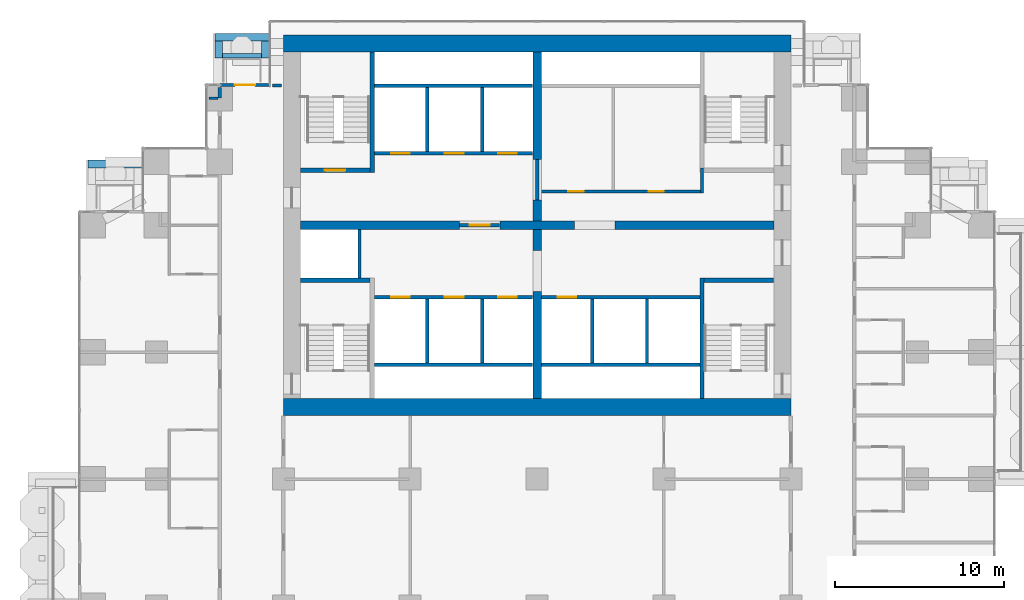
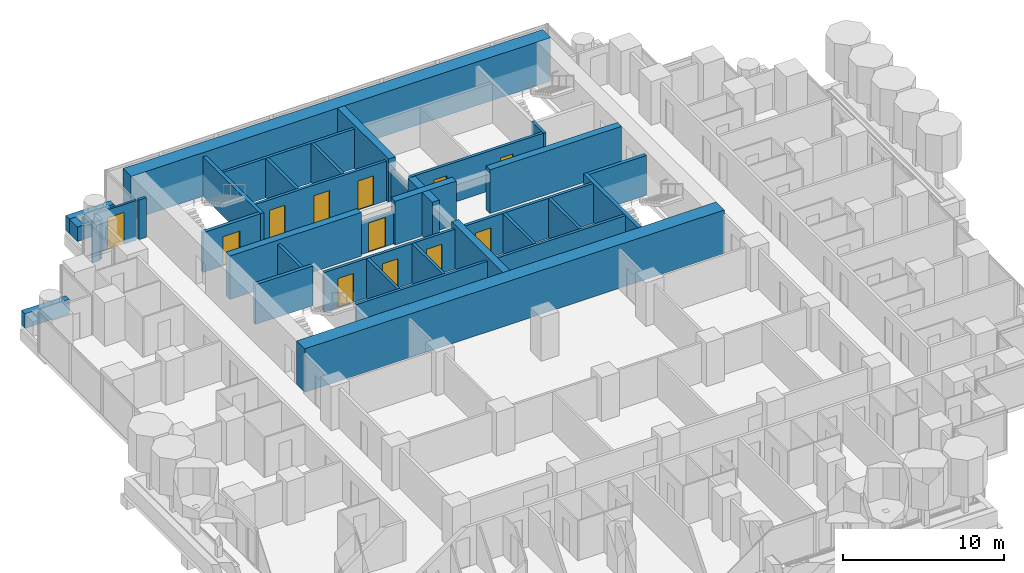
# One storey, part 15 of 20: 40 walls, 12 doors, 12 openings.
"""IFC4 building model written with IfcOpenShell, lengths in metres."""

from ifc_helpers import new_model, si_unit, direction, frame, frame_2d, origin, place, context, subcontext, project, spatial, rectangle, extrude, material, layer, layer_set, type_object, element, fill, save


model = new_model("IFC4")

# Units and contexts
model_context = context("Model", 3, precision=1e-05, world=origin(), true_north=direction((0.0, 1.0)))
body_context = subcontext(model_context, "Body", "Model", "MODEL_VIEW")
ifc_project = project(units=[si_unit("LENGTHUNIT", "METRE"), si_unit("AREAUNIT", "SQUARE_METRE"), si_unit("VOLUMEUNIT", "CUBIC_METRE"), si_unit("PLANEANGLEUNIT", "RADIAN"), si_unit("MASSUNIT", "GRAM", prefix="KILO")], contexts=[model_context])

# Site, building, storey
site_placement = place(None, origin())
site = spatial("IfcSite", under=ifc_project, at=site_placement, CompositionType="ELEMENT")
building_placement = place(site_placement, origin())
building = spatial("IfcBuilding", under=site, at=building_placement, Name="Pilkhan Gate Tower", CompositionType="ELEMENT")
storey_placement = place(building_placement, frame((0.0, 0.0, 92.300048828125)))
storey = spatial("IfcBuildingStorey", under=building, at=storey_placement, Name="L22", CompositionType="ELEMENT", Elevation=92.300048828125)

# Walls
ifc_material_1 = material(Name="Concrete C40/50", Category="concrete")
ifc_layer_1 = layer(ifc_material_1, 0.25)
ifc_layer_set_1 = layer_set([ifc_layer_1], Name="Balcony planter BP250")
wall_type_1 = type_object("IfcWallType", Name="Balcony planter BP250", PredefinedType="USERDEFINED", material=ifc_layer_set_1)
wall_1_placement = place(storey_placement, frame((56.39990234375, 92.52490234375, 0.0), z_axis=(0.0, 0.0, 1.0), x_axis=(1.0, 0.0, 0.0)))
element("IfcWall", 1, at=wall_1_placement, inside=storey, type_object=wall_type_1, Name="Balcony planter L22 N", ObjectType="BALCONY PLANTER", PredefinedType="USERDEFINED", context=body_context, shape_type="SweptSolid", body=[
    extrude(rectangle(XDim=2.300048828125, YDim=0.25, at=frame_2d((1.14990234375, 0.0))), origin(), (0.0, 0.0, 1.0), 1.0),
])
ifc_material_2 = material(Name="Board-marked Concrete C40/50", Category="concrete")
ifc_layer_2 = layer(ifc_material_2, 0.449951171875)
ifc_layer_set_2 = layer_set([ifc_layer_2], Name="Balcony planter lip BL450")
wall_type_2 = type_object("IfcWallType", Name="Balcony planter lip BL450", PredefinedType="USERDEFINED", material=ifc_layer_set_2)
wall_2_placement = place(storey_placement, frame((55.949951171875, 93.625, 0.0), z_axis=(0.0, 0.0, 1.0), x_axis=(1.0, 0.0, 0.0)))
element("IfcWall", 2, at=wall_2_placement, inside=storey, type_object=wall_type_2, Name="Balcony planter L22 N", ObjectType="BALCONY PLANTER", PredefinedType="USERDEFINED", context=body_context, shape_type="SweptSolid", body=[
    extrude(rectangle(XDim=3.199951171875, YDim=0.449951171875, at=frame_2d((1.60009765625, 0.0))), origin(), (0.0, 0.0, 1.0), 1.099853515625),
])
for number, where, z_axis, x_axis, name in (
    (3, (56.175048828125, 92.39990234375, 0.0), (0.0, 0.0, 1.0), (0.0, 1.0, 0.0), "Balcony planter L22 N"),
    (4, (58.925048828125, 92.39990234375, 0.0), (0.0, 0.0, 1.0), (0.0, 1.0, 0.0), "Balcony planter L22 N"),
):
    element("IfcWall", number, at=place(storey_placement, frame(where, z_axis=z_axis, x_axis=x_axis)), inside=storey, type_object=wall_type_2, Name=name, ObjectType="BALCONY PLANTER", PredefinedType="USERDEFINED", context=body_context, shape_type="SweptSolid", body=[
        extrude(rectangle(XDim=1.0, YDim=0.449951171875, at=frame_2d((0.5, 0.0))), origin(), (0.0, 0.0, 1.0), 1.099853515625),
    ])
wall_3_placement = place(storey_placement, frame((48.449951171875, 86.125, 0.0), z_axis=(0.0, 0.0, 1.0), x_axis=(1.0, 0.0, 0.0)))
element("IfcWall", 5, at=wall_3_placement, inside=storey, type_object=wall_type_2, Name="Balcony planter L22 N", ObjectType="BALCONY PLANTER", PredefinedType="USERDEFINED", context=body_context, shape_type="SweptSolid", body=[
    extrude(rectangle(XDim=3.179931640625, YDim=0.449951171875, at=frame_2d((1.58984375, 0.0))), origin(), (0.0, 0.0, 1.0), 1.099853515625),
])
ifc_material_3 = material(Name="Concrete C70/85", Category="concrete")
ifc_layer_3 = layer(ifc_material_3, 1.0)
ifc_layer_set_3 = layer_set([ifc_layer_3], Name="Core wall CW1000 C70/85")
wall_type_3 = type_object("IfcWallType", Name="Core wall CW1000 C70/85", PredefinedType="SHEAR", material=ifc_layer_set_3)
for number, where, z_axis, x_axis, name in (
    (6, (60.0, 71.75, 0.0), (0.0, 0.0, 1.0), (1.0, 0.0, 0.0), "Core wall S L22"),
    (7, (90.0, 93.25, 0.0), (0.0, 0.0, 1.0), (-1.0, 0.0, 0.0), "Core wall N L22"),
):
    element("IfcWall", number, at=place(storey_placement, frame(where, z_axis=z_axis, x_axis=x_axis)), inside=storey, type_object=wall_type_3, Name=name, PredefinedType="SHEAR", context=body_context, shape_type="SweptSolid", body=[
        extrude(rectangle(XDim=30.0, YDim=1.0, at=frame_2d((15.0, 0.0))), origin(), (0.0, 0.0, 1.0), 3.300048828125),
    ])
ifc_material_4 = material(Name="Dense blockwork", Category="masonry")
ifc_layer_4 = layer(ifc_material_4, 0.199951171875)
ifc_layer_set_4 = layer_set([ifc_layer_4], Name="Corridor wall FW200")
wall_type_4 = type_object("IfcWallType", Name="Corridor wall FW200", PredefinedType="PARTITIONING", material=ifc_layer_set_4)
wall_4_placement = place(storey_placement, frame((59.35498046875, 90.764892578125, 0.0), z_axis=(0.0, 0.0, 1.0), x_axis=(1.0, 0.0, 0.0)))
element("IfcWall", 8, at=wall_4_placement, inside=storey, type_object=wall_type_4, Name="Partition L22", PredefinedType="PARTITIONING", context=body_context, shape_type="SweptSolid", body=[
    extrude(rectangle(XDim=0.52490234375, YDim=0.199951171875, at=frame_2d((0.262451171875, 0.0))), origin(), (0.0, 0.0, 1.0), 3.0),
])
wall_5_placement = place(storey_placement, frame((56.25, 90.030029296875, 0.0), z_axis=(0.0, 0.0, 1.0), x_axis=(0.0, 1.0, 0.0)))
element("IfcWall", 9, at=wall_5_placement, inside=storey, type_object=wall_type_4, Name="Partition L22", PredefinedType="PARTITIONING", context=body_context, shape_type="SweptSolid", body=[
    extrude(rectangle(XDim=0.614990234375, YDim=0.199951171875, at=frame_2d((0.3076171875, 0.0))), origin(), (0.0, 0.0, 1.0), 3.0),
])

# Wall, opening, door
ifc_material_5 = material(Name="Pale anodised aluminium, clear laminated glazing", Category="aluminium")
ifc_layer_5 = layer(ifc_material_5, 0.14990234375)
ifc_layer_set_5 = layer_set([ifc_layer_5], Name="Facade infill wall IW150")
wall_type_5 = type_object("IfcWallType", Name="Facade infill wall IW150", PredefinedType="SOLIDWALL", material=ifc_layer_set_5)
wall_6_placement = place(storey_placement, frame((56.25, 90.794921875, 0.0), z_axis=(0.0, 0.0, 1.0), x_axis=(1.0, 0.0, 0.0)))
wall_6 = element("IfcWall", 10, at=wall_6_placement, inside=storey, type_object=wall_type_5, Name="Infill wall L22 N", PredefinedType="SOLIDWALL", context=body_context, shape_type="SweptSolid", body=[
    extrude(rectangle(XDim=2.955078125, YDim=0.14990234375, at=frame_2d((1.4775390625, 0.0))), origin(), (0.0, 0.0, 1.0), 3.0),
])
opening_1_placement = place(wall_6_placement, frame((0.87744140625, 0.0, 0.0)))
opening_1 = element("IfcOpeningElement", 11, at=opening_1_placement, cuts=wall_6, Name="Opening D1", PredefinedType="OPENING", context=body_context, shape_type="SweptSolid", body=[
    extrude(rectangle(XDim=1.199951171875, YDim=2.39990234375, at=frame_2d((0.60009765625, 1.199951171875))), frame((0.0, 0.0849609375, 0.0), z_axis=(0.0, -1.0, 0.0), x_axis=(1.0, 0.0, 0.0)), (0.0, 0.0, 1.0), 0.169921875),
])
ifc_material_6 = material(Name="Pale anodised aluminium, clear glazing", Category="aluminium")
door_type_1 = type_object("IfcDoorType", Name="Balcony door D1 1200x2400", OperationType="SINGLE_SWING_LEFT", PredefinedType="DOOR", material=ifc_material_6)
door_1_placement = place(opening_1_placement, origin())
door_1 = element("IfcDoor", 12, at=door_1_placement, inside=storey, type_object=door_type_1, Name="Balcony door L22", OperationType="SINGLE_SWING_LEFT", OverallHeight=2.39990234375, OverallWidth=1.199951171875, PredefinedType="DOOR", context=body_context, shape_type="SweptSolid", body=[
    extrude(rectangle(XDim=1.199951171875, YDim=2.39990234375, at=frame_2d((0.60009765625, 1.199951171875))), frame((0.0, 0.02490234375, 0.0), z_axis=(0.0, -1.0, 0.0), x_axis=(1.0, 0.0, 0.0)), (0.0, 0.0, 1.0), 0.050048828125),
])
fill(opening_1, door_1)

ifc_layer_6 = layer(ifc_material_4, 0.199951171875)
ifc_layer_set_6 = layer_set([ifc_layer_6], Name="Lobby wall LW200")
wall_type_6 = type_object("IfcWallType", Name="Lobby wall LW200", PredefinedType="PARTITIONING", material=ifc_layer_set_6)
wall_7_placement = place(storey_placement, frame((70.409912109375, 82.5, 0.0), z_axis=(0.0, 0.0, 1.0), x_axis=(1.0, 0.0, 0.0)))
wall_7 = element("IfcWall", 13, at=wall_7_placement, inside=storey, type_object=wall_type_6, Name="Partition L22", PredefinedType="PARTITIONING", context=body_context, shape_type="SweptSolid", body=[
    extrude(rectangle(XDim=2.380126953125, YDim=0.199951171875, at=frame_2d((1.18994140625, 0.0))), origin(), (0.0, 0.0, 1.0), 2.39990234375),
])
opening_2_placement = place(wall_7_placement, frame((0.60009765625, 0.0, 0.0)))
opening_2 = element("IfcOpeningElement", 14, at=opening_2_placement, cuts=wall_7, Name="Opening L22-01", PredefinedType="OPENING", context=body_context, shape_type="SweptSolid", body=[
    extrude(rectangle(XDim=1.199951171875, YDim=2.199951171875, at=frame_2d((0.60009765625, 1.10009765625))), frame((0.0, 0.10986328125, 0.0), z_axis=(0.0, -1.0, 0.0), x_axis=(1.0, 0.0, 0.0)), (0.0, 0.0, 1.0), 0.219970703125),
])
ifc_material_7 = material(Name="Steel door, 120 minute fire resisting, self-closing", Category="steel")
door_type_2 = type_object("IfcDoorType", Name="Firefighting lobby door D10 1200x2200", OperationType="SINGLE_SWING_LEFT", PredefinedType="DOOR", material=ifc_material_7)
door_2_placement = place(opening_2_placement, origin())
door_2 = element("IfcDoor", 15, at=door_2_placement, inside=storey, type_object=door_type_2, Name="Firefighting lobby door", OperationType="SINGLE_SWING_RIGHT", OverallHeight=2.199951171875, OverallWidth=1.199951171875, PredefinedType="DOOR", context=body_context, shape_type="SweptSolid", body=[
    extrude(rectangle(XDim=1.199951171875, YDim=2.199951171875, at=frame_2d((0.60009765625, 1.10009765625))), frame((0.0, 0.02490234375, 0.0), z_axis=(0.0, -1.0, 0.0), x_axis=(1.0, 0.0, 0.0)), (0.0, 0.0, 1.0), 0.050048828125),
])
fill(opening_2, door_2)

# Wall, openings, doors
wall_8_placement = place(storey_placement, frame((75.10009765625, 84.5, 0.0), z_axis=(0.0, 0.0, 1.0), x_axis=(1.0, 0.0, 0.0)))
wall_8 = element("IfcWall", 16, at=wall_8_placement, inside=storey, type_object=wall_type_6, Name="Partition L22", PredefinedType="PARTITIONING", context=body_context, shape_type="SweptSolid", body=[
    extrude(rectangle(XDim=9.5498046875, YDim=0.199951171875, at=frame_2d((4.77490234375, 0.0))), origin(), (0.0, 0.0, 1.0), 3.0),
])
opening_3_placement = place(wall_8_placement, frame((1.75, 0.0, 0.0)))
opening_3 = element("IfcOpeningElement", 17, at=opening_3_placement, cuts=wall_8, Name="Opening L22-55", PredefinedType="OPENING", context=body_context, shape_type="SweptSolid", body=[
    extrude(rectangle(XDim=0.89990234375, YDim=2.199951171875, at=frame_2d((0.449951171875, 1.10009765625))), frame((0.0, 0.10986328125, 0.0), z_axis=(0.0, -1.0, 0.0), x_axis=(1.0, 0.0, 0.0)), (0.0, 0.0, 1.0), 0.219970703125),
])
opening_4_placement = place(wall_8_placement, frame((6.5, 0.0, 0.0)))
opening_4 = element("IfcOpeningElement", 18, at=opening_4_placement, cuts=wall_8, Name="Opening L22-56", PredefinedType="OPENING", context=body_context, shape_type="SweptSolid", body=[
    extrude(rectangle(XDim=0.89990234375, YDim=2.199951171875, at=frame_2d((0.449951171875, 1.10009765625))), frame((0.0, 0.10986328125, 0.0), z_axis=(0.0, -1.0, 0.0), x_axis=(1.0, 0.0, 0.0)), (0.0, 0.0, 1.0), 0.219970703125),
])
ifc_material_8 = material(Name="Timber flush door, 60 minute fire resisting, self-closing", Category="wood")
door_type_3 = type_object("IfcDoorType", Name="Store door D05 900x2200", OperationType="SINGLE_SWING_LEFT", PredefinedType="DOOR", material=ifc_material_8)
door_3_placement = place(opening_3_placement, origin())
door_3 = element("IfcDoor", 19, at=door_3_placement, inside=storey, type_object=door_type_3, Name="Store door", OperationType="SINGLE_SWING_LEFT", OverallHeight=2.199951171875, OverallWidth=0.89990234375, PredefinedType="DOOR", context=body_context, shape_type="SweptSolid", body=[
    extrude(rectangle(XDim=0.89990234375, YDim=2.199951171875, at=frame_2d((0.449951171875, 1.10009765625))), frame((0.0, 0.02490234375, 0.0), z_axis=(0.0, -1.0, 0.0), x_axis=(1.0, 0.0, 0.0)), (0.0, 0.0, 1.0), 0.050048828125),
])
fill(opening_3, door_3)
door_4_placement = place(opening_4_placement, origin())
door_4 = element("IfcDoor", 20, at=door_4_placement, inside=storey, type_object=door_type_3, Name="Store door", OperationType="SINGLE_SWING_LEFT", OverallHeight=2.199951171875, OverallWidth=0.89990234375, PredefinedType="DOOR", context=body_context, shape_type="SweptSolid", body=[
    extrude(rectangle(XDim=0.89990234375, YDim=2.199951171875, at=frame_2d((0.449951171875, 1.10009765625))), frame((0.0, 0.02490234375, 0.0), z_axis=(0.0, -1.0, 0.0), x_axis=(1.0, 0.0, 0.0)), (0.0, 0.0, 1.0), 0.050048828125),
])
fill(opening_4, door_4)

# Walls
wall_9_placement = place(storey_placement, frame((75.0, 84.010009765625, 0.0), z_axis=(0.0, 0.0, 1.0), x_axis=(0.0, 1.0, 0.0)))
element("IfcWall", 21, at=wall_9_placement, inside=storey, type_object=wall_type_6, Name="Partition L22", PredefinedType="PARTITIONING", context=body_context, shape_type="SweptSolid", body=[
    extrude(rectangle(XDim=2.3798828125, YDim=0.199951171875, at=frame_2d((1.18994140625, 0.0))), origin(), (0.0, 0.0, 1.0), 2.39990234375),
])
wall_10_placement = place(storey_placement, frame((84.75, 84.39990234375, 0.0), z_axis=(0.0, 0.0, 1.0), x_axis=(0.0, 1.0, 0.0)))
element("IfcWall", 22, at=wall_10_placement, inside=storey, type_object=wall_type_6, Name="Partition L22", PredefinedType="PARTITIONING", context=body_context, shape_type="SweptSolid", body=[
    extrude(rectangle(XDim=1.47509765625, YDim=0.199951171875, at=frame_2d((0.737548828125, 0.0))), origin(), (0.0, 0.0, 1.0), 3.0),
])
ifc_material_9 = material(Name="Blockwork partition, plastered both sides", Category="masonry")
ifc_layer_7 = layer(ifc_material_9, 0.14990234375)
ifc_layer_set_7 = layer_set([ifc_layer_7], Name="Partition PW150")
wall_type_7 = type_object("IfcWallType", Name="Partition PW150", PredefinedType="PARTITIONING", material=ifc_layer_set_7)
wall_11_placement = place(storey_placement, frame((55.60498046875, 90.0, 0.0), z_axis=(0.0, 0.0, 1.0), x_axis=(1.0, 0.0, 0.0)))
element("IfcWall", 23, at=wall_11_placement, inside=storey, type_object=wall_type_7, Name="Partition L22", PredefinedType="PARTITIONING", context=body_context, shape_type="SweptSolid", body=[
    extrude(rectangle(XDim=0.544921875, YDim=0.14990234375, at=frame_2d((0.2724609375, 0.0))), origin(), (0.0, 0.0, 1.0), 3.0),
])
ifc_material_10 = material(Name="Reinforced blockwork shaft wall, 120 minute fire resisting", Category="masonry")
ifc_layer_8 = layer(ifc_material_10, 0.199951171875)
ifc_layer_set_8 = layer_set([ifc_layer_8], Name="Shaft wall SW200")
wall_type_8 = type_object("IfcWallType", Name="Shaft wall SW200", PredefinedType="PARTITIONING", material=ifc_layer_set_8)
for number, where, z_axis, x_axis, name in (
    (24, (65.375, 74.25, 0.0), (0.0, 0.0, 1.0), (1.0, 0.0, 0.0), "Partition L22"),
    (25, (75.260009765625, 74.25, 0.0), (0.0, 0.0, 1.0), (1.0, 0.0, 0.0), "Partition L22"),
):
    element("IfcWall", number, at=place(storey_placement, frame(where, z_axis=z_axis, x_axis=x_axis)), inside=storey, type_object=wall_type_8, Name=name, PredefinedType="PARTITIONING", context=body_context, shape_type="SweptSolid", body=[
        extrude(rectangle(XDim=9.364990234375, YDim=0.199951171875, at=frame_2d((4.6826171875, 0.0))), origin(), (0.0, 0.0, 1.0), 3.0),
    ])

# Wall, openings, doors
wall_12_placement = place(storey_placement, frame((65.375, 78.25, 0.0), z_axis=(0.0, 0.0, 1.0), x_axis=(1.0, 0.0, 0.0)))
wall_12 = element("IfcWall", 26, at=wall_12_placement, inside=storey, type_object=wall_type_8, Name="Partition L22", PredefinedType="PARTITIONING", context=body_context, shape_type="SweptSolid", body=[
    extrude(rectangle(XDim=9.364990234375, YDim=0.199951171875, at=frame_2d((4.6826171875, 0.0))), origin(), (0.0, 0.0, 1.0), 3.0),
])
opening_5_placement = place(wall_12_placement, frame((1.0, 0.0, 0.0)))
opening_5 = element("IfcOpeningElement", 27, at=opening_5_placement, cuts=wall_12, Name="Opening LD", PredefinedType="OPENING", context=body_context, shape_type="SweptSolid", body=[
    extrude(rectangle(XDim=1.10009765625, YDim=2.199951171875, at=frame_2d((0.550048828125, 1.10009765625))), frame((0.0, 0.10986328125, 0.0), z_axis=(0.0, -1.0, 0.0), x_axis=(1.0, 0.0, 0.0)), (0.0, 0.0, 1.0), 0.219970703125),
])
opening_6_placement = place(wall_12_placement, frame((4.175048828125, 0.0, 0.0)))
opening_6 = element("IfcOpeningElement", 28, at=opening_6_placement, cuts=wall_12, Name="Opening LD", PredefinedType="OPENING", context=body_context, shape_type="SweptSolid", body=[
    extrude(rectangle(XDim=1.10009765625, YDim=2.199951171875, at=frame_2d((0.550048828125, 1.10009765625))), frame((0.0, 0.10986328125, 0.0), z_axis=(0.0, -1.0, 0.0), x_axis=(1.0, 0.0, 0.0)), (0.0, 0.0, 1.0), 0.219970703125),
])
opening_7_placement = place(wall_12_placement, frame((7.324951171875, 0.0, 0.0)))
opening_7 = element("IfcOpeningElement", 29, at=opening_7_placement, cuts=wall_12, Name="Opening LD", PredefinedType="OPENING", context=body_context, shape_type="SweptSolid", body=[
    extrude(rectangle(XDim=1.10009765625, YDim=2.199951171875, at=frame_2d((0.550048828125, 1.10009765625))), frame((0.0, 0.10986328125, 0.0), z_axis=(0.0, -1.0, 0.0), x_axis=(1.0, 0.0, 0.0)), (0.0, 0.0, 1.0), 0.219970703125),
])
ifc_material_11 = material(Name="Stainless steel centre-opening landing door, 120 minute fire resisting", Category="steel")
door_type_4 = type_object("IfcDoorType", Name="Lift landing door LD 1100x2200", OperationType="DOUBLE_DOOR_SLIDING", PredefinedType="DOOR", material=ifc_material_11)
door_5_placement = place(opening_5_placement, origin())
door_5 = element("IfcDoor", 30, at=door_5_placement, inside=storey, type_object=door_type_4, Name="Landing door LR1", OperationType="DOUBLE_DOOR_SLIDING", OverallHeight=2.199951171875, OverallWidth=1.10009765625, PredefinedType="DOOR", context=body_context, shape_type="SweptSolid", body=[
    extrude(rectangle(XDim=1.10009765625, YDim=2.199951171875, at=frame_2d((0.550048828125, 1.10009765625))), frame((0.0, 0.02490234375, 0.0), z_axis=(0.0, -1.0, 0.0), x_axis=(1.0, 0.0, 0.0)), (0.0, 0.0, 1.0), 0.050048828125),
])
fill(opening_5, door_5)
door_6_placement = place(opening_6_placement, origin())
door_6 = element("IfcDoor", 31, at=door_6_placement, inside=storey, type_object=door_type_4, Name="Landing door LR2", OperationType="DOUBLE_DOOR_SLIDING", OverallHeight=2.199951171875, OverallWidth=1.10009765625, PredefinedType="DOOR", context=body_context, shape_type="SweptSolid", body=[
    extrude(rectangle(XDim=1.10009765625, YDim=2.199951171875, at=frame_2d((0.550048828125, 1.10009765625))), frame((0.0, 0.02490234375, 0.0), z_axis=(0.0, -1.0, 0.0), x_axis=(1.0, 0.0, 0.0)), (0.0, 0.0, 1.0), 0.050048828125),
])
fill(opening_6, door_6)
door_7_placement = place(opening_7_placement, origin())
door_7 = element("IfcDoor", 32, at=door_7_placement, inside=storey, type_object=door_type_4, Name="Landing door LR3", OperationType="DOUBLE_DOOR_SLIDING", OverallHeight=2.199951171875, OverallWidth=1.10009765625, PredefinedType="DOOR", context=body_context, shape_type="SweptSolid", body=[
    extrude(rectangle(XDim=1.10009765625, YDim=2.199951171875, at=frame_2d((0.550048828125, 1.10009765625))), frame((0.0, 0.02490234375, 0.0), z_axis=(0.0, -1.0, 0.0), x_axis=(1.0, 0.0, 0.0)), (0.0, 0.0, 1.0), 0.050048828125),
])
fill(opening_7, door_7)

# Wall, opening, door
wall_13_placement = place(storey_placement, frame((75.260009765625, 78.25, 0.0), z_axis=(0.0, 0.0, 1.0), x_axis=(1.0, 0.0, 0.0)))
wall_13 = element("IfcWall", 33, at=wall_13_placement, inside=storey, type_object=wall_type_8, Name="Partition L22", PredefinedType="PARTITIONING", context=body_context, shape_type="SweptSolid", body=[
    extrude(rectangle(XDim=9.364990234375, YDim=0.199951171875, at=frame_2d((4.6826171875, 0.0))), origin(), (0.0, 0.0, 1.0), 3.0),
])
opening_8_placement = place(wall_13_placement, frame((0.949951171875, 0.0, 0.0)))
opening_8 = element("IfcOpeningElement", 34, at=opening_8_placement, cuts=wall_13, Name="Opening LD", PredefinedType="OPENING", context=body_context, shape_type="SweptSolid", body=[
    extrude(rectangle(XDim=1.10009765625, YDim=2.199951171875, at=frame_2d((0.550048828125, 1.10009765625))), frame((0.0, 0.10986328125, 0.0), z_axis=(0.0, -1.0, 0.0), x_axis=(1.0, 0.0, 0.0)), (0.0, 0.0, 1.0), 0.219970703125),
])
door_8_placement = place(opening_8_placement, origin())
door_8 = element("IfcDoor", 35, at=door_8_placement, inside=storey, type_object=door_type_4, Name="Landing door LR4", OperationType="DOUBLE_DOOR_SLIDING", OverallHeight=2.199951171875, OverallWidth=1.10009765625, PredefinedType="DOOR", context=body_context, shape_type="SweptSolid", body=[
    extrude(rectangle(XDim=1.10009765625, YDim=2.199951171875, at=frame_2d((0.550048828125, 1.10009765625))), frame((0.0, 0.02490234375, 0.0), z_axis=(0.0, -1.0, 0.0), x_axis=(1.0, 0.0, 0.0)), (0.0, 0.0, 1.0), 0.050048828125),
])
fill(opening_8, door_8)

# Wall, openings, doors
wall_14_placement = place(storey_placement, frame((65.375, 86.75, 0.0), z_axis=(0.0, 0.0, 1.0), x_axis=(1.0, 0.0, 0.0)))
wall_14 = element("IfcWall", 36, at=wall_14_placement, inside=storey, type_object=wall_type_8, Name="Partition L22", PredefinedType="PARTITIONING", context=body_context, shape_type="SweptSolid", body=[
    extrude(rectangle(XDim=9.364990234375, YDim=0.199951171875, at=frame_2d((4.6826171875, 0.0))), origin(), (0.0, 0.0, 1.0), 3.0),
])
opening_9_placement = place(wall_14_placement, frame((1.0, 0.0, 0.0)))
opening_9 = element("IfcOpeningElement", 37, at=opening_9_placement, cuts=wall_14, Name="Opening LD", PredefinedType="OPENING", context=body_context, shape_type="SweptSolid", body=[
    extrude(rectangle(XDim=1.10009765625, YDim=2.199951171875, at=frame_2d((0.550048828125, 1.10009765625))), frame((0.0, 0.10986328125, 0.0), z_axis=(0.0, -1.0, 0.0), x_axis=(1.0, 0.0, 0.0)), (0.0, 0.0, 1.0), 0.219970703125),
])
opening_10_placement = place(wall_14_placement, frame((4.175048828125, 0.0, 0.0)))
opening_10 = element("IfcOpeningElement", 38, at=opening_10_placement, cuts=wall_14, Name="Opening LD", PredefinedType="OPENING", context=body_context, shape_type="SweptSolid", body=[
    extrude(rectangle(XDim=1.10009765625, YDim=2.199951171875, at=frame_2d((0.550048828125, 1.10009765625))), frame((0.0, 0.10986328125, 0.0), z_axis=(0.0, -1.0, 0.0), x_axis=(1.0, 0.0, 0.0)), (0.0, 0.0, 1.0), 0.219970703125),
])
opening_11_placement = place(wall_14_placement, frame((7.324951171875, 0.0, 0.0)))
opening_11 = element("IfcOpeningElement", 39, at=opening_11_placement, cuts=wall_14, Name="Opening LD", PredefinedType="OPENING", context=body_context, shape_type="SweptSolid", body=[
    extrude(rectangle(XDim=1.10009765625, YDim=2.199951171875, at=frame_2d((0.550048828125, 1.10009765625))), frame((0.0, 0.10986328125, 0.0), z_axis=(0.0, -1.0, 0.0), x_axis=(1.0, 0.0, 0.0)), (0.0, 0.0, 1.0), 0.219970703125),
])
door_9_placement = place(opening_9_placement, origin())
door_9 = element("IfcDoor", 40, at=door_9_placement, inside=storey, type_object=door_type_4, Name="Landing door FF1", OperationType="DOUBLE_DOOR_SLIDING", OverallHeight=2.199951171875, OverallWidth=1.10009765625, PredefinedType="DOOR", context=body_context, shape_type="SweptSolid", body=[
    extrude(rectangle(XDim=1.10009765625, YDim=2.199951171875, at=frame_2d((0.550048828125, 1.10009765625))), frame((0.0, 0.02490234375, 0.0), z_axis=(0.0, -1.0, 0.0), x_axis=(1.0, 0.0, 0.0)), (0.0, 0.0, 1.0), 0.050048828125),
])
fill(opening_9, door_9)
door_10_placement = place(opening_10_placement, origin())
door_10 = element("IfcDoor", 41, at=door_10_placement, inside=storey, type_object=door_type_4, Name="Landing door FF2", OperationType="DOUBLE_DOOR_SLIDING", OverallHeight=2.199951171875, OverallWidth=1.10009765625, PredefinedType="DOOR", context=body_context, shape_type="SweptSolid", body=[
    extrude(rectangle(XDim=1.10009765625, YDim=2.199951171875, at=frame_2d((0.550048828125, 1.10009765625))), frame((0.0, 0.02490234375, 0.0), z_axis=(0.0, -1.0, 0.0), x_axis=(1.0, 0.0, 0.0)), (0.0, 0.0, 1.0), 0.050048828125),
])
fill(opening_10, door_10)
door_11_placement = place(opening_11_placement, origin())
door_11 = element("IfcDoor", 42, at=door_11_placement, inside=storey, type_object=door_type_4, Name="Landing door SV1", OperationType="DOUBLE_DOOR_SLIDING", OverallHeight=2.199951171875, OverallWidth=1.10009765625, PredefinedType="DOOR", context=body_context, shape_type="SweptSolid", body=[
    extrude(rectangle(XDim=1.10009765625, YDim=2.199951171875, at=frame_2d((0.550048828125, 1.10009765625))), frame((0.0, 0.02490234375, 0.0), z_axis=(0.0, -1.0, 0.0), x_axis=(1.0, 0.0, 0.0)), (0.0, 0.0, 1.0), 0.050048828125),
])
fill(opening_11, door_11)

# Walls
wall_15_placement = place(storey_placement, frame((65.375, 90.75, 0.0), z_axis=(0.0, 0.0, 1.0), x_axis=(1.0, 0.0, 0.0)))
element("IfcWall", 43, at=wall_15_placement, inside=storey, type_object=wall_type_8, Name="Partition L22", PredefinedType="PARTITIONING", context=body_context, shape_type="SweptSolid", body=[
    extrude(rectangle(XDim=9.364990234375, YDim=0.199951171875, at=frame_2d((4.6826171875, 0.0))), origin(), (0.0, 0.0, 1.0), 3.0),
])
wall_16_placement = place(storey_placement, frame((64.5, 79.375, 0.0), z_axis=(0.0, 0.0, 1.0), x_axis=(0.0, 1.0, 0.0)))
element("IfcWall", 44, at=wall_16_placement, inside=storey, type_object=wall_type_8, Name="Partition L22", PredefinedType="PARTITIONING", context=body_context, shape_type="SweptSolid", body=[
    extrude(rectangle(XDim=2.864990234375, YDim=0.199951171875, at=frame_2d((1.4326171875, 0.0))), origin(), (0.0, 0.0, 1.0), 3.0),
])
for number, where, z_axis, x_axis, name in (
    (45, (68.5, 74.35009765625, 0.0), (0.0, 0.0, 1.0), (0.0, 1.0, 0.0), "Partition L22"),
    (46, (68.5, 86.85009765625, 0.0), (0.0, 0.0, 1.0), (0.0, 1.0, 0.0), "Partition L22"),
    (47, (71.75, 74.35009765625, 0.0), (0.0, 0.0, 1.0), (0.0, 1.0, 0.0), "Partition L22"),
    (48, (71.75, 86.85009765625, 0.0), (0.0, 0.0, 1.0), (0.0, 1.0, 0.0), "Partition L22"),
    (49, (78.25, 74.35009765625, 0.0), (0.0, 0.0, 1.0), (0.0, 1.0, 0.0), "Partition L22"),
    (50, (81.5, 74.35009765625, 0.0), (0.0, 0.0, 1.0), (0.0, 1.0, 0.0), "Partition L22"),
):
    element("IfcWall", number, at=place(storey_placement, frame(where, z_axis=z_axis, x_axis=x_axis)), inside=storey, type_object=wall_type_8, Name=name, PredefinedType="PARTITIONING", context=body_context, shape_type="SweptSolid", body=[
        extrude(rectangle(XDim=3.7998046875, YDim=0.199951171875, at=frame_2d((1.89990234375, 0.0))), origin(), (0.0, 0.0, 1.0), 3.0),
    ])
ifc_layer_9 = layer(ifc_material_3, 0.5)
ifc_layer_set_9 = layer_set([ifc_layer_9], Name="Spine wall SW500 C70/85")
wall_type_9 = type_object("IfcWallType", Name="Spine wall SW500 C70/85", PredefinedType="SHEAR", material=ifc_layer_set_9)
wall_17_placement = place(storey_placement, frame((61.0, 82.5, 0.0), z_axis=(0.0, 0.0, 1.0), x_axis=(1.0, 0.0, 0.0)))
element("IfcWall", 51, at=wall_17_placement, inside=storey, type_object=wall_type_9, Name="Spine wall SP-EW1 L22", PredefinedType="SHEAR", context=body_context, shape_type="SweptSolid", body=[
    extrude(rectangle(XDim=9.39990234375, YDim=0.5, at=frame_2d((4.699951171875, 0.0))), origin(), (0.0, 0.0, 1.0), 3.300048828125),
])
wall_18_placement = place(storey_placement, frame((72.800048828125, 82.5, 0.0), z_axis=(0.0, 0.0, 1.0), x_axis=(1.0, 0.0, 0.0)))
element("IfcWall", 52, at=wall_18_placement, inside=storey, type_object=wall_type_9, Name="Spine wall SP-EW2 L22", PredefinedType="SHEAR", context=body_context, shape_type="SweptSolid", body=[
    extrude(rectangle(XDim=4.39990234375, YDim=0.5, at=frame_2d((2.199951171875, 0.0))), origin(), (0.0, 0.0, 1.0), 3.300048828125),
])
wall_19_placement = place(storey_placement, frame((79.60009765625, 82.5, 0.0), z_axis=(0.0, 0.0, 1.0), x_axis=(1.0, 0.0, 0.0)))
element("IfcWall", 53, at=wall_19_placement, inside=storey, type_object=wall_type_9, Name="Spine wall SP-EW3 L22", PredefinedType="SHEAR", context=body_context, shape_type="SweptSolid", body=[
    extrude(rectangle(XDim=9.39990234375, YDim=0.5, at=frame_2d((4.699951171875, 0.0))), origin(), (0.0, 0.0, 1.0), 3.300048828125),
])
wall_20_placement = place(storey_placement, frame((75.0, 72.25, 0.0), z_axis=(0.0, 0.0, 1.0), x_axis=(0.0, 1.0, 0.0)))
element("IfcWall", 54, at=wall_20_placement, inside=storey, type_object=wall_type_9, Name="Spine wall SP-NS-S1 L22", PredefinedType="SHEAR", context=body_context, shape_type="SweptSolid", body=[
    extrude(rectangle(XDim=6.35009765625, YDim=0.5, at=frame_2d((3.175048828125, 0.0))), origin(), (0.0, 0.0, 1.0), 3.300048828125),
])
for number, where, z_axis, x_axis, name in (
    (55, (75.0, 81.0, 0.0), (0.0, 0.0, 1.0), (0.0, 1.0, 0.0), "Spine wall SP-NS-S2 L22"),
    (56, (75.0, 82.75, 0.0), (0.0, 0.0, 1.0), (0.0, 1.0, 0.0), "Spine wall SP-NS-N1 L22"),
):
    element("IfcWall", number, at=place(storey_placement, frame(where, z_axis=z_axis, x_axis=x_axis)), inside=storey, type_object=wall_type_9, Name=name, PredefinedType="SHEAR", context=body_context, shape_type="SweptSolid", body=[
        extrude(rectangle(XDim=1.25, YDim=0.5, at=frame_2d((0.625, 0.0))), origin(), (0.0, 0.0, 1.0), 3.300048828125),
    ])
wall_21_placement = place(storey_placement, frame((75.0, 86.39990234375, 0.0), z_axis=(0.0, 0.0, 1.0), x_axis=(0.0, 1.0, 0.0)))
element("IfcWall", 57, at=wall_21_placement, inside=storey, type_object=wall_type_9, Name="Spine wall SP-NS-N2 L22", PredefinedType="SHEAR", context=body_context, shape_type="SweptSolid", body=[
    extrude(rectangle(XDim=6.35009765625, YDim=0.5, at=frame_2d((3.175048828125, 0.0))), origin(), (0.0, 0.0, 1.0), 3.300048828125),
])
ifc_material_12 = material(Name="Reinforced blockwork, 120 minute fire resisting", Category="masonry")
ifc_layer_10 = layer(ifc_material_12, 0.25)
ifc_layer_set_10 = layer_set([ifc_layer_10], Name="Stair enclosure wall SE250")
wall_type_10 = type_object("IfcWallType", Name="Stair enclosure wall SE250", PredefinedType="PARTITIONING", material=ifc_layer_set_10)
for number, where, z_axis, x_axis, name in (
    (58, (61.010009765625, 79.25, 0.0), (0.0, 0.0, 1.0), (1.0, 0.0, 0.0), "Partition L22"),
    (59, (84.875, 79.25, 0.0), (0.0, 0.0, 1.0), (1.0, 0.0, 0.0), "Partition L22"),
):
    element("IfcWall", number, at=place(storey_placement, frame(where, z_axis=z_axis, x_axis=x_axis)), inside=storey, type_object=wall_type_10, Name=name, PredefinedType="PARTITIONING", context=body_context, shape_type="SweptSolid", body=[
        extrude(rectangle(XDim=4.114990234375, YDim=0.25, at=frame_2d((2.0576171875, 0.0))), origin(), (0.0, 0.0, 1.0), 3.0),
    ])

# Wall, opening, door
wall_22_placement = place(storey_placement, frame((61.010009765625, 85.75, 0.0), z_axis=(0.0, 0.0, 1.0), x_axis=(1.0, 0.0, 0.0)))
wall_22 = element("IfcWall", 60, at=wall_22_placement, inside=storey, type_object=wall_type_10, Name="Partition L22", PredefinedType="PARTITIONING", context=body_context, shape_type="SweptSolid", body=[
    extrude(rectangle(XDim=4.114990234375, YDim=0.25, at=frame_2d((2.0576171875, 0.0))), origin(), (0.0, 0.0, 1.0), 3.0),
])
opening_12_placement = place(wall_22_placement, frame((1.449951171875, 0.0, 0.0)))
opening_12 = element("IfcOpeningElement", 61, at=opening_12_placement, cuts=wall_22, Name="Opening L22-02", PredefinedType="OPENING", context=body_context, shape_type="SweptSolid", body=[
    extrude(rectangle(XDim=1.199951171875, YDim=2.199951171875, at=frame_2d((0.60009765625, 1.10009765625))), frame((0.0, 0.135009765625, 0.0), z_axis=(0.0, -1.0, 0.0), x_axis=(1.0, 0.0, 0.0)), (0.0, 0.0, 1.0), 0.27001953125),
])
ifc_material_13 = material(Name="Steel door, 120 minute fire resisting, panic bar", Category="steel")
door_type_5 = type_object("IfcDoorType", Name="Stair door D11 1200x2200", OperationType="SINGLE_SWING_LEFT", PredefinedType="DOOR", material=ifc_material_13)
door_12_placement = place(opening_12_placement, origin())
door_12 = element("IfcDoor", 62, at=door_12_placement, inside=storey, type_object=door_type_5, Name="Stair ST3 lobby door", OperationType="SINGLE_SWING_RIGHT", OverallHeight=2.199951171875, OverallWidth=1.199951171875, PredefinedType="DOOR", context=body_context, shape_type="SweptSolid", body=[
    extrude(rectangle(XDim=1.199951171875, YDim=2.199951171875, at=frame_2d((0.60009765625, 1.10009765625))), frame((0.0, 0.02490234375, 0.0), z_axis=(0.0, -1.0, 0.0), x_axis=(1.0, 0.0, 0.0)), (0.0, 0.0, 1.0), 0.050048828125),
])
fill(opening_12, door_12)

# Walls
for number, where, z_axis, x_axis, name in (
    (63, (65.25, 85.625, 0.0), (0.0, 0.0, 1.0), (0.0, 1.0, 0.0), "Partition L22"),
    (64, (84.75, 72.260009765625, 0.0), (0.0, 0.0, 1.0), (0.0, 1.0, 0.0), "Partition L22"),
):
    element("IfcWall", number, at=place(storey_placement, frame(where, z_axis=z_axis, x_axis=x_axis)), inside=storey, type_object=wall_type_10, Name=name, PredefinedType="PARTITIONING", context=body_context, shape_type="SweptSolid", body=[
        extrude(rectangle(XDim=7.114990234375, YDim=0.25, at=frame_2d((3.5576171875, 0.0))), origin(), (0.0, 0.0, 1.0), 3.0),
    ])

save(model, "model.ifc")
